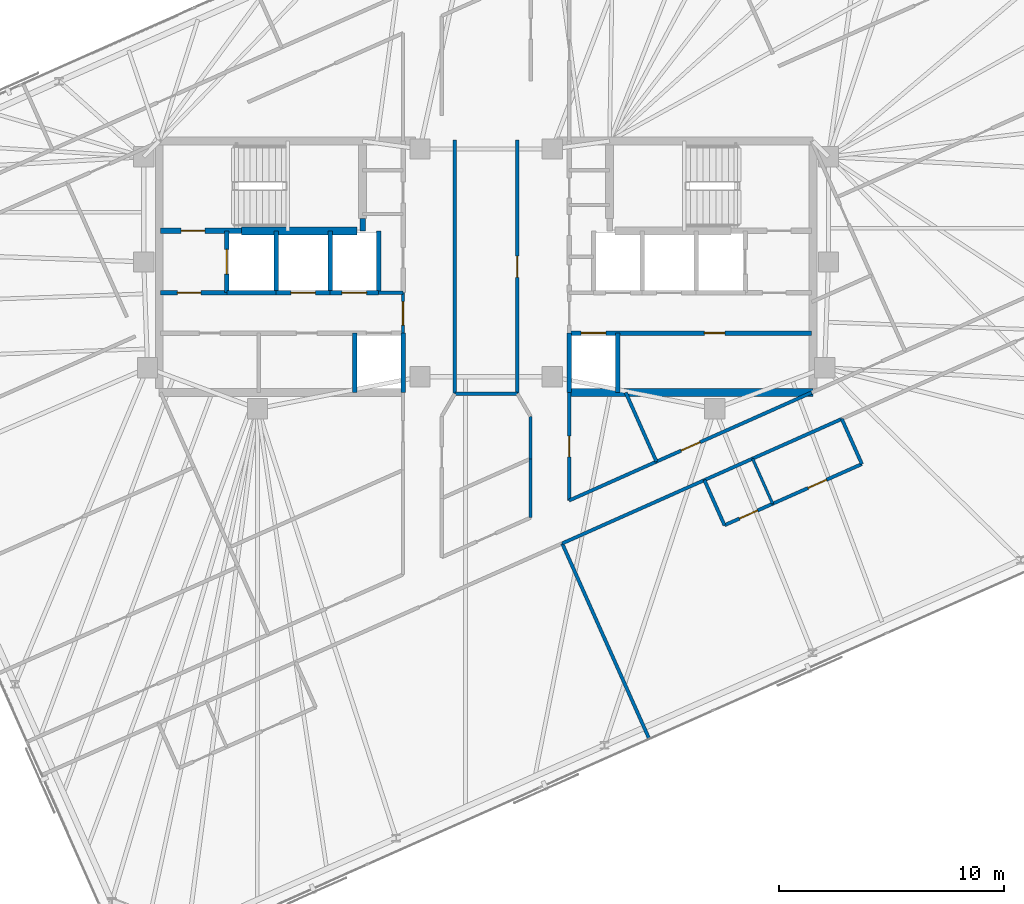
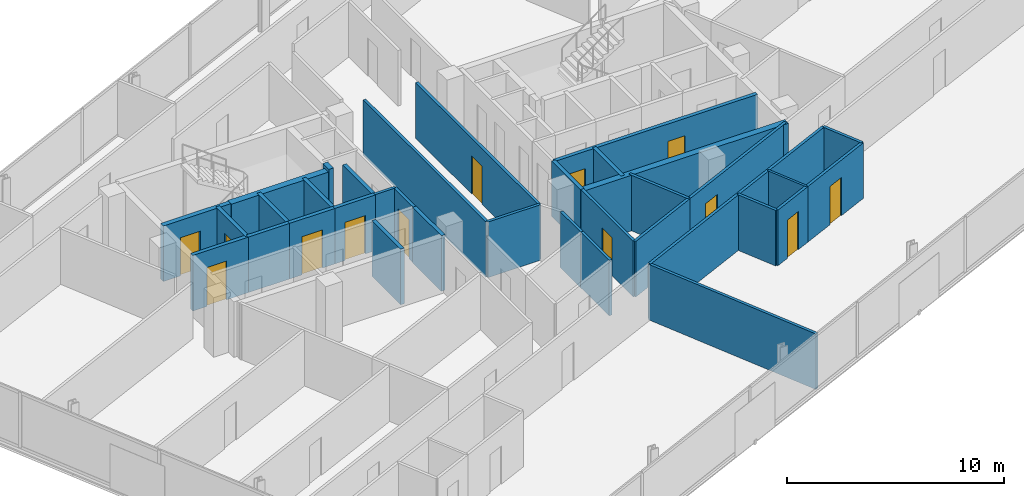
# One storey, part 14 of 18: 37 walls, 13 doors, 13 openings.
"""IFC4 building model written with IfcOpenShell, lengths in metres."""

import ifcopenshell
import ifcopenshell.guid

model = None  # the IFC model being written
_history = None  # IfcOwnerHistory: only IFC2X3 demands one
_inside = {}  # id of a spatial element -> (the spatial element, [elements in it])
_under = {}  # id of a project, library or spatial element -> (it, [spatial elements below it])
_declared = {}  # id of a project -> (the project, [libraries it declares])
_typed = {}  # id of a type object -> (the type object, [elements of that type])
_made_of = {}  # id of a material, layer set ... -> (it, [elements and type objects made of it])


def new_model(schema):
    """Start an empty IFC model of exactly this schema.

    Asked for "IFC4X3", IfcOpenShell would pick the latest addendum, in which some entities
    have other attributes; the version numbers below select the first issue.
    IFC2X3 requires an IfcOwnerHistory on every rooted entity: one is made here for all.
    """
    global model, _history
    if schema == "IFC4X3":
        model = ifcopenshell.file(schema_version=(4, 3, 0, 0))
    else:
        model = ifcopenshell.file(schema=schema)
    _inside.clear()
    _under.clear()
    _declared.clear()
    _typed.clear()
    _made_of.clear()
    _history = None
    if model.schema == "IFC2X3":
        org = make("IfcOrganization", Name="unknown")
        user = make(
            "IfcPersonAndOrganization",
            ThePerson=make("IfcPerson", FamilyName="unknown"),
            TheOrganization=org,
        )
        app = make(
            "IfcApplication",
            ApplicationDeveloper=org,
            Version="unknown",
            ApplicationFullName="unknown",
            ApplicationIdentifier="unknown",
        )
        _history = make(
            "IfcOwnerHistory",
            OwningUser=user,
            OwningApplication=app,
            ChangeAction="ADDED",
            CreationDate=0,
        )
    return model


def make(cls, **values):
    """One entity of the class cls with the attributes given. An attribute that is None is left unset."""
    return model.create_entity(
        cls, **{name: value for name, value in values.items() if value is not None}
    )


def rooted(cls, **values):
    """An entity with a GlobalId (a new one), such as an element, a storey or a relation."""
    return make(cls, GlobalId=ifcopenshell.guid.new(), OwnerHistory=_history, **values)


def si_unit(unit_type, name, prefix=None):
    """IfcSIUnit, for example si_unit("LENGTHUNIT", "METRE", prefix="MILLI")."""
    return make("IfcSIUnit", UnitType=unit_type, Prefix=prefix, Name=name)


def assignment(units):
    """IfcUnitAssignment: the units of a project."""
    return None if units is None else make("IfcUnitAssignment", Units=units)


def point(xyz):
    """IfcCartesianPoint."""
    return None if xyz is None else make("IfcCartesianPoint", Coordinates=xyz)


def direction(xyz):
    """IfcDirection."""
    return None if xyz is None else make("IfcDirection", DirectionRatios=xyz)


def frame(location, z_axis=None, x_axis=None):
    """IfcAxis2Placement3D, a coordinate frame: its origin and axes. An axis left out is left unset."""
    return make(
        "IfcAxis2Placement3D",
        Location=point(location),
        Axis=direction(z_axis),
        RefDirection=direction(x_axis),
    )


def frame_2d(location, x_axis=None):
    """IfcAxis2Placement2D, a coordinate frame in the plane: its origin and x axis."""
    return make(
        "IfcAxis2Placement2D", Location=point(location), RefDirection=direction(x_axis)
    )


def origin():
    """The frame at (0, 0, 0) with its axes left unset."""
    return frame((0.0, 0.0, 0.0))


def place(relative_to, where):
    """IfcLocalPlacement: puts the frame where relative to a parent placement (None: the world)."""
    return make(
        "IfcLocalPlacement", PlacementRelTo=relative_to, RelativePlacement=where
    )


def context(
    kind, dimensions, precision=None, world=None, true_north=None, identifier=None
):
    """IfcGeometricRepresentationContext, for example the 3D "Model" context."""
    return make(
        "IfcGeometricRepresentationContext",
        ContextIdentifier=identifier,
        ContextType=kind,
        CoordinateSpaceDimension=dimensions,
        Precision=precision,
        WorldCoordinateSystem=world,
        TrueNorth=true_north,
    )


def subcontext(parent, identifier, kind, view, scale=None):
    """IfcGeometricRepresentationSubContext, for example "Body" below "Model"."""
    return make(
        "IfcGeometricRepresentationSubContext",
        ContextIdentifier=identifier,
        ContextType=kind,
        ParentContext=parent,
        TargetScale=scale,
        TargetView=view,
    )


def project(units=None, contexts=None):
    """IfcProject with its units and contexts."""
    return rooted(
        "IfcProject",
        Name="project",
        RepresentationContexts=contexts,
        UnitsInContext=assignment(units),
    )


def spatial(cls, under=None, at=None, **own):
    """A site, building, storey or space (cls), placed at a placement, below another one or the project."""
    s = rooted(cls, ObjectPlacement=at, **own)
    if under is not None:
        _under.setdefault(under.id(), (under, []))[1].append(s)
    return s


def profile(cls, at=None, kind="AREA", **sizes):
    """A parametric profile (cls). Its sizes go by their IFC names, for example OverallWidth=200.0."""
    return make(cls, ProfileType=kind, Position=at, **sizes)


def rectangle(**sizes):
    """IfcRectangleProfileDef."""
    return profile("IfcRectangleProfileDef", **sizes)


def extrude(swept, where, along, depth):
    """IfcExtrudedAreaSolid: the profile swept, set in the frame where, extruded along a direction by depth."""
    return make(
        "IfcExtrudedAreaSolid",
        SweptArea=swept,
        Position=where,
        ExtrudedDirection=direction(along),
        Depth=depth,
    )


def shape(context_of_items, identifier, shape_type, items):
    """IfcShapeRepresentation: the items that make up one representation, for example the "Body"."""
    return make(
        "IfcShapeRepresentation",
        ContextOfItems=context_of_items,
        RepresentationIdentifier=identifier,
        RepresentationType=shape_type,
        Items=items,
    )


def material(Name=None, Category=None):
    """IfcMaterial."""
    return make("IfcMaterial", Name=Name, Category=Category)


def layer(
    of_material, thickness, ventilated=None, Name=None, Category=None, Priority=None
):
    """IfcMaterialLayer: one layer of a wall or slab, of a material (None: an air gap)."""
    return make(
        "IfcMaterialLayer",
        Material=of_material,
        LayerThickness=thickness,
        IsVentilated=ventilated,
        Name=Name,
        Category=Category,
        Priority=Priority,
    )


def layer_set(layers, Name=None):
    """IfcMaterialLayerSet."""
    return make("IfcMaterialLayerSet", MaterialLayers=layers, LayerSetName=Name)


def made_of(thing, what):
    """Note that an element or type object is made of a material, layer set ...; save() writes the relation."""
    if what is not None:
        _made_of.setdefault(what.id(), (what, []))[1].append(thing)
    return thing


def type_object(cls, material=None, **own):
    """A type object (cls), such as IfcWallType, which elements share."""
    return made_of(rooted(cls, **own), material)


def element(
    cls,
    number,
    at=None,
    inside=None,
    cuts=None,
    type_object=None,
    material=None,
    context=None,
    identifier="Body",
    shape_type=None,
    held_by="IfcProductDefinitionShape",
    body=None,
    shapes=None,
    **own,
):
    """One element of the class cls, such as IfcWall. Its Tag is "e" and its number.

    at: its placement. inside: the storey or other place that contains it. cuts: it is an
    opening in that element (IfcRelVoidsElement). A single representation is given by context,
    identifier, shape_type and body (its items); several are given by shapes. held_by: the class
    of the entity that holds the representations. save() writes the other relations.
    """
    e = rooted(cls, Tag="e%d" % number, ObjectPlacement=at, **own)
    if body is not None:
        shapes = [shape(context, identifier, shape_type, body)]
    if shapes is not None:
        e.Representation = make(held_by, Representations=shapes)
    if inside is not None:
        _inside.setdefault(inside.id(), (inside, []))[1].append(e)
    if cuts is not None:
        rooted(
            "IfcRelVoidsElement", RelatingBuildingElement=cuts, RelatedOpeningElement=e
        )
    if type_object is not None:
        _typed.setdefault(type_object.id(), (type_object, []))[1].append(e)
    return made_of(e, material)


def fill(opening, filler):
    """IfcRelFillsElement: the door or window that sits in an opening."""
    return rooted(
        "IfcRelFillsElement",
        RelatingOpeningElement=opening,
        RelatedBuildingElement=filler,
    )


def aggregate(whole, parts):
    """IfcRelAggregates: a whole, such as a stair, and the parts it consists of."""
    return rooted("IfcRelAggregates", RelatingObject=whole, RelatedObjects=parts)


def save(model, path):
    """Write the relations noted so far, then the file.

    IfcRelAggregates (storeys below a building ...), IfcRelContainedInSpatialStructure (elements
    in a storey), IfcRelDefinesByType, IfcRelAssociatesMaterial and IfcRelDeclares: one each for
    every whole, place, type object, material and project.
    """
    for whole, parts in _under.values():
        aggregate(whole, parts)
    for where, things in _inside.values():
        rooted(
            "IfcRelContainedInSpatialStructure",
            RelatedElements=things,
            RelatingStructure=where,
        )
    for kind, things in _typed.values():
        rooted("IfcRelDefinesByType", RelatedObjects=things, RelatingType=kind)
    for what, things in _made_of.values():
        rooted("IfcRelAssociatesMaterial", RelatedObjects=things, RelatingMaterial=what)
    for by, libraries in _declared.values():
        rooted("IfcRelDeclares", RelatingContext=by, RelatedDefinitions=libraries)
    model.write(path)


model = new_model("IFC4")

# Units and contexts
model_context = context("Model", 3, precision=1e-05, world=origin(), true_north=direction((0.0, 1.0)))
body_context = subcontext(model_context, "Body", "Model", "MODEL_VIEW")
ifc_project = project(units=[si_unit("LENGTHUNIT", "METRE"), si_unit("AREAUNIT", "SQUARE_METRE"), si_unit("VOLUMEUNIT", "CUBIC_METRE"), si_unit("PLANEANGLEUNIT", "RADIAN"), si_unit("MASSUNIT", "GRAM", prefix="KILO")], contexts=[model_context])

# Site, building, storey
site_placement = place(None, origin())
site = spatial("IfcSite", under=ifc_project, at=site_placement, CompositionType="ELEMENT")
building_placement = place(site_placement, origin())
building = spatial("IfcBuilding", under=site, at=building_placement, Name="Menara Jurai Vektor", CompositionType="ELEMENT")
storey_placement = place(building_placement, frame((0.0, 0.0, 285.25)))
storey = spatial("IfcBuildingStorey", under=building, at=storey_placement, Name="L76", CompositionType="ELEMENT", Elevation=285.25)

# Wall, opening, door
ifc_material_1 = material(Name="Concrete C40/50", Category="concrete")
ifc_layer_1 = layer(ifc_material_1, 0.25)
ifc_layer_set_1 = layer_set([ifc_layer_1], Name="Concrete C40/50")
wall_type_1 = type_object("IfcWallType", Name="INT-WALL-CORE-250", PredefinedType="STANDARD", material=ifc_layer_set_1)
wall_1_placement = place(storey_placement, frame((-14.5, 1.60009765625, 0.0), z_axis=(0.0, 0.0, 1.0), x_axis=(1.0, 0.0, 0.0)))
wall_1 = element("IfcWall", 1, at=wall_1_placement, inside=storey, type_object=wall_type_1, Name="Interior Wall IW-250 L76", PredefinedType="STANDARD", context=body_context, shape_type="SweptSolid", body=[
    extrude(rectangle(XDim=3.60009765625, YDim=0.25, at=frame_2d((1.800048828125, 0.0))), origin(), (0.0, 0.0, 1.0), 3.125),
])
opening_1_placement = place(wall_1_placement, frame((0.919921875, 0.0, 0.0)))
opening_1 = element("IfcOpeningElement", 2, at=opening_1_placement, cuts=wall_1, Name="Opening D-L76-ST1", PredefinedType="OPENING", context=body_context, shape_type="SweptSolid", body=[
    extrude(rectangle(XDim=1.050048828125, YDim=2.14990234375, at=frame_2d((0.52490234375, 1.074951171875))), frame((0.0, 0.135009765625, 0.0), z_axis=(0.0, -1.0, 0.0), x_axis=(1.0, 0.0, 0.0)), (0.0, 0.0, 1.0), 0.27001953125),
])
ifc_material_2 = material(Name="Fire-Rated Steel Door", Category="steel")
door_type_1 = type_object("IfcDoorType", Name="DR-STAIR-1050", OperationType="NOTDEFINED", PredefinedType="DOOR", material=ifc_material_2)
door_1_placement = place(opening_1_placement, origin())
door_1 = element("IfcDoor", 3, at=door_1_placement, inside=storey, type_object=door_type_1, Name="Exit Stair ST1 Door L76", OperationType="SINGLE_SWING_RIGHT", OverallHeight=2.14990234375, OverallWidth=1.050048828125, PredefinedType="DOOR", context=body_context, shape_type="SweptSolid", body=[
    extrude(rectangle(XDim=1.050048828125, YDim=2.14990234375, at=frame_2d((0.52490234375, 1.074951171875))), frame((0.0, 0.02490234375, 0.0), z_axis=(0.0, -1.0, 0.0), x_axis=(1.0, 0.0, 0.0)), (0.0, 0.0, 1.0), 0.050048828125),
])
fill(opening_1, door_1)

# Wall
wall_2_placement = place(storey_placement, frame((-5.5, 1.60009765625, 0.0), z_axis=(0.0, 0.0, 1.0), x_axis=(0.0, 1.0, 0.0)))
element("IfcWall", 4, at=wall_2_placement, inside=storey, type_object=wall_type_1, Name="Interior Wall IW-250 L76", PredefinedType="STANDARD", context=body_context, shape_type="SweptSolid", body=[
    extrude(rectangle(XDim=0.5498046875, YDim=0.25, at=frame_2d((0.27490234375, 0.0))), origin(), (0.0, 0.0, 1.0), 3.125),
])

# Wall, opening, door
wall_3_placement = place(storey_placement, frame((-11.550048828125, -1.14990234375, 0.0), z_axis=(0.0, 0.0, 1.0), x_axis=(0.0, 1.0, 0.0)))
wall_3 = element("IfcWall", 5, at=wall_3_placement, inside=storey, type_object=wall_type_1, Name="Interior Wall IW-250 L76", PredefinedType="STANDARD", context=body_context, shape_type="SweptSolid", body=[
    extrude(rectangle(XDim=2.75, YDim=0.199951171875, at=frame_2d((1.375, 0.0))), origin(), (0.0, 0.0, 1.0), 3.125),
])
opening_2_placement = place(wall_3_placement, frame((0.824951171875, 0.0, 0.0)))
opening_2 = element("IfcOpeningElement", 6, at=opening_2_placement, cuts=wall_3, Name="Opening LD-L76-FL1", PredefinedType="OPENING", context=body_context, shape_type="SweptSolid", body=[
    extrude(rectangle(XDim=1.10009765625, YDim=2.14990234375, at=frame_2d((0.550048828125, 1.074951171875))), frame((0.0, 0.10986328125, 0.0), z_axis=(0.0, -1.0, 0.0), x_axis=(1.0, 0.0, 0.0)), (0.0, 0.0, 1.0), 0.219970703125),
])
ifc_material_3 = material(Name="Stainless Steel Sliding Lift Landing Door", Category="steel")
door_type_2 = type_object("IfcDoorType", Name="DR-LIFT-FIRE-1100", OperationType="NOTDEFINED", PredefinedType="DOOR", material=ifc_material_3)
door_2_placement = place(opening_2_placement, origin())
door_2 = element("IfcDoor", 7, at=door_2_placement, inside=storey, type_object=door_type_2, Name="Lift Landing Door FL1 L76", OperationType="SLIDING_TO_RIGHT", OverallHeight=2.14990234375, OverallWidth=1.10009765625, PredefinedType="DOOR", context=body_context, shape_type="SweptSolid", body=[
    extrude(rectangle(XDim=1.10009765625, YDim=2.14990234375, at=frame_2d((0.550048828125, 1.074951171875))), frame((0.0, 0.02490234375, 0.0), z_axis=(0.0, -1.0, 0.0), x_axis=(1.0, 0.0, 0.0)), (0.0, 0.0, 1.0), 0.050048828125),
])
fill(opening_2, door_2)

# Wall
wall_4_placement = place(storey_placement, frame((-9.35009765625, -1.14990234375, 0.0), z_axis=(0.0, 0.0, 1.0), x_axis=(0.0, 1.0, 0.0)))
element("IfcWall", 8, at=wall_4_placement, inside=storey, type_object=wall_type_1, Name="Interior Wall IW-250 L76", PredefinedType="STANDARD", context=body_context, shape_type="SweptSolid", body=[
    extrude(rectangle(XDim=2.75, YDim=0.199951171875, at=frame_2d((1.375, 0.0))), origin(), (0.0, 0.0, 1.0), 3.125),
])

# Wall, opening, door
wall_5_placement = place(storey_placement, frame((-14.5, -1.14990234375, 0.0), z_axis=(0.0, 0.0, 1.0), x_axis=(1.0, 0.0, 0.0)))
wall_5 = element("IfcWall", 9, at=wall_5_placement, inside=storey, type_object=wall_type_1, Name="Interior Wall IW-250 L76", PredefinedType="STANDARD", context=body_context, shape_type="SweptSolid", body=[
    extrude(rectangle(XDim=2.949951171875, YDim=0.199951171875, at=frame_2d((1.47509765625, 0.0))), origin(), (0.0, 0.0, 1.0), 3.125),
])
opening_3_placement = place(wall_5_placement, frame((0.75, 0.0, 0.0)))
opening_3 = element("IfcOpeningElement", 10, at=opening_3_placement, cuts=wall_5, Name="Opening D-L76-FFW", PredefinedType="OPENING", context=body_context, shape_type="SweptSolid", body=[
    extrude(rectangle(XDim=1.050048828125, YDim=2.179931640625, at=frame_2d((0.52490234375, 1.08984375))), frame((0.0, 0.10986328125, 0.0), z_axis=(0.0, -1.0, 0.0), x_axis=(1.0, 0.0, 0.0)), (0.0, 0.0, 1.0), 0.219970703125),
])
ifc_material_4 = material(Name="Fire-Rated Timber Door", Category="wood")
door_type_3 = type_object("IfcDoorType", Name="DR-LOBBY-1050", OperationType="NOTDEFINED", PredefinedType="DOOR", material=ifc_material_4)
door_3_placement = place(opening_3_placement, origin())
door_3 = element("IfcDoor", 11, at=door_3_placement, inside=storey, type_object=door_type_3, Name="Fire Lift Lobby Door W L76", OperationType="SINGLE_SWING_RIGHT", OverallHeight=2.179931640625, OverallWidth=1.050048828125, PredefinedType="DOOR", context=body_context, shape_type="SweptSolid", body=[
    extrude(rectangle(XDim=1.050048828125, YDim=2.179931640625, at=frame_2d((0.52490234375, 1.08984375))), frame((0.0, 0.02490234375, 0.0), z_axis=(0.0, -1.0, 0.0), x_axis=(1.0, 0.0, 0.0)), (0.0, 0.0, 1.0), 0.050048828125),
])
fill(opening_3, door_3)

# Wall
wall_6_placement = place(storey_placement, frame((-11.550048828125, -1.14990234375, 0.0), z_axis=(0.0, 0.0, 1.0), x_axis=(1.0, 0.0, 0.0)))
element("IfcWall", 12, at=wall_6_placement, inside=storey, type_object=wall_type_1, Name="Interior Wall IW-250 L76", PredefinedType="STANDARD", context=body_context, shape_type="SweptSolid", body=[
    extrude(rectangle(XDim=2.199951171875, YDim=0.199951171875, at=frame_2d((1.10009765625, 0.0))), origin(), (0.0, 0.0, 1.0), 3.125),
])

# Wall, opening, door
ifc_material_5 = material(Name="Gypsum Fireboard Partition", Category="gypsum")
ifc_layer_2 = layer(ifc_material_5, 0.14990234375)
ifc_layer_set_2 = layer_set([ifc_layer_2], Name="Gypsum Fireboard Partition")
wall_type_2 = type_object("IfcWallType", Name="INT-WALL-CORR-150", PredefinedType="PARTITIONING", material=ifc_layer_set_2)
wall_7_placement = place(storey_placement, frame((-3.699951171875, -2.949951171875, 0.0), z_axis=(0.0, 0.0, 1.0), x_axis=(0.0, 1.0, 0.0)))
wall_7 = element("IfcWall", 13, at=wall_7_placement, inside=storey, type_object=wall_type_2, Name="Interior Wall IW-150 L76", PredefinedType="PARTITIONING", context=body_context, shape_type="SweptSolid", body=[
    extrude(rectangle(XDim=1.800048828125, YDim=0.14990234375, at=frame_2d((0.89990234375, 0.0))), origin(), (0.0, 0.0, 1.0), 3.125),
])
opening_4_placement = place(wall_7_placement, frame((0.35009765625, 0.0, 0.0)))
opening_4 = element("IfcOpeningElement", 14, at=opening_4_placement, cuts=wall_7, Name="Opening D-L76-LLW", PredefinedType="OPENING", context=body_context, shape_type="SweptSolid", body=[
    extrude(rectangle(XDim=1.050048828125, YDim=2.179931640625, at=frame_2d((0.52490234375, 1.08984375))), frame((0.0, 0.0849609375, 0.0), z_axis=(0.0, -1.0, 0.0), x_axis=(1.0, 0.0, 0.0)), (0.0, 0.0, 1.0), 0.169921875),
])
door_4_placement = place(opening_4_placement, origin())
door_4 = element("IfcDoor", 15, at=door_4_placement, inside=storey, type_object=door_type_3, Name="Lift Lobby Corridor Door W L76", OperationType="SINGLE_SWING_LEFT", OverallHeight=2.179931640625, OverallWidth=1.050048828125, PredefinedType="DOOR", context=body_context, shape_type="SweptSolid", body=[
    extrude(rectangle(XDim=1.050048828125, YDim=2.179931640625, at=frame_2d((0.52490234375, 1.08984375))), frame((0.0, 0.02490234375, 0.0), z_axis=(0.0, -1.0, 0.0), x_axis=(1.0, 0.0, 0.0)), (0.0, 0.0, 1.0), 0.050048828125),
])
fill(opening_4, door_4)

# Walls
wall_8_placement = place(storey_placement, frame((-4.7900390625, -1.14990234375, 0.0), z_axis=(0.0, 0.0, 1.0), x_axis=(1.0, 0.0, 0.0)))
element("IfcWall", 16, at=wall_8_placement, inside=storey, type_object=wall_type_2, Name="Interior Wall IW-150 L76", PredefinedType="PARTITIONING", context=body_context, shape_type="SweptSolid", body=[
    extrude(rectangle(XDim=1.090087890625, YDim=0.14990234375, at=frame_2d((0.544921875, 0.0))), origin(), (0.0, 0.0, 1.0), 3.125),
])
wall_9_placement = place(storey_placement, frame((-1.390869140625, -5.64990234375, 0.0), z_axis=(0.0, 0.0, 1.0), x_axis=(-2.1605738e-05, 0.999999999767, 0.0)))
element("IfcWall", 17, at=wall_9_placement, inside=storey, type_object=wall_type_2, Name="Interior Wall IW-150 L76", PredefinedType="PARTITIONING", context=body_context, shape_type="SweptSolid", body=[
    extrude(rectangle(XDim=11.2998046875, YDim=0.14990234375, at=frame_2d((5.64990234375, 0.0))), origin(), (0.0, 0.0, 1.0), 3.125),
])

# Wall, opening, door
wall_10_placement = place(storey_placement, frame((1.390869140625, -5.650390625, 0.0), z_axis=(0.0, 0.0, 1.0), x_axis=(4.3206809e-05, 0.999999999067, 0.0)))
wall_10 = element("IfcWall", 18, at=wall_10_placement, inside=storey, type_object=wall_type_2, Name="Interior Wall IW-150 L76", PredefinedType="PARTITIONING", context=body_context, shape_type="SweptSolid", body=[
    extrude(rectangle(XDim=11.301025390625, YDim=0.14990234375, at=frame_2d((5.650390625, 0.0))), origin(), (0.0, 0.0, 1.0), 3.125),
])
opening_5_placement = place(wall_10_placement, frame((5.175537109375, 0.0, 0.0)))
opening_5 = element("IfcOpeningElement", 19, at=opening_5_placement, cuts=wall_10, Name="Opening D76-09", PredefinedType="OPENING", context=body_context, shape_type="SweptSolid", body=[
    extrude(rectangle(XDim=0.949951171875, YDim=2.14990234375, at=frame_2d((0.47509765625, 1.074951171875))), frame((0.0, 0.0849609375, 0.0), z_axis=(0.0, -1.0, 0.0), x_axis=(1.0, 0.0, 0.0)), (0.0, 0.0, 1.0), 0.169921875),
])
ifc_material_6 = material(Name="Solid Core Timber Fire Door", Category="wood")
door_type_4 = type_object("IfcDoorType", Name="DR-ENTRY-950", OperationType="NOTDEFINED", PredefinedType="DOOR", material=ifc_material_6)
door_5_placement = place(opening_5_placement, origin())
door_5 = element("IfcDoor", 20, at=door_5_placement, inside=storey, type_object=door_type_4, Name="Interior Door D76-09", OperationType="SINGLE_SWING_LEFT", OverallHeight=2.14990234375, OverallWidth=0.949951171875, PredefinedType="DOOR", context=body_context, shape_type="SweptSolid", body=[
    extrude(rectangle(XDim=0.949951171875, YDim=2.14990234375, at=frame_2d((0.47509765625, 1.074951171875))), frame((0.0, 0.02490234375, 0.0), z_axis=(0.0, -1.0, 0.0), x_axis=(1.0, 0.0, 0.0)), (0.0, 0.0, 1.0), 0.050048828125),
])
fill(opening_5, door_5)

# Walls
wall_11_placement = place(storey_placement, frame((3.388427734375, -12.320556640625, 0.0), z_axis=(0.0, 0.0, 1.0), x_axis=(0.913552886643, 0.406719956857, 0.0)))
element("IfcWall", 21, at=wall_11_placement, inside=storey, type_object=wall_type_2, Name="Interior Wall IW-150 L76", PredefinedType="PARTITIONING", context=body_context, shape_type="SweptSolid", body=[
    extrude(rectangle(XDim=6.93310546875, YDim=0.14990234375, at=frame_2d((3.466552734375, 0.0))), origin(), (0.0, 0.0, 1.0), 3.125),
])
wall_12_placement = place(storey_placement, frame((9.72216796875, -9.500732421875, 0.0), z_axis=(0.0, 0.0, 1.0), x_axis=(0.913541436194, 0.406745675276, 0.0)))
element("IfcWall", 22, at=wall_12_placement, inside=storey, type_object=wall_type_2, Name="Interior Wall IW-150 L76", PredefinedType="PARTITIONING", context=body_context, shape_type="SweptSolid", body=[
    extrude(rectangle(XDim=2.349853515625, YDim=0.14990234375, at=frame_2d((1.1748046875, 0.0))), origin(), (0.0, 0.0, 1.0), 3.125),
])
wall_13_placement = place(storey_placement, frame((11.868896484375, -8.544921875, 0.0), z_axis=(0.0, 0.0, 1.0), x_axis=(0.913554477336, 0.406716383908, 0.0)))
element("IfcWall", 23, at=wall_13_placement, inside=storey, type_object=wall_type_2, Name="Interior Wall IW-150 L76", PredefinedType="PARTITIONING", context=body_context, shape_type="SweptSolid", body=[
    extrude(rectangle(XDim=4.35009765625, YDim=0.14990234375, at=frame_2d((2.175048828125, 0.0))), origin(), (0.0, 0.0, 1.0), 3.125),
])

# Wall, opening, door
wall_14_placement = place(storey_placement, frame((3.69970703125, -10.40869140625, 0.0), z_axis=(0.0, 0.0, 1.0), x_axis=(5.0769153e-05, 0.999999998711, 0.0)))
wall_14 = element("IfcWall", 24, at=wall_14_placement, inside=storey, type_object=wall_type_2, Name="Interior Wall IW-150 L76", PredefinedType="PARTITIONING", context=body_context, shape_type="SweptSolid", body=[
    extrude(rectangle(XDim=4.808837890625, YDim=0.14990234375, at=frame_2d((2.404296875, 0.0))), origin(), (0.0, 0.0, 1.0), 3.125),
])
opening_6_placement = place(wall_14_placement, frame((1.9443359375, 0.0, 0.0)))
opening_6 = element("IfcOpeningElement", 25, at=opening_6_placement, cuts=wall_14, Name="Opening D76-25", PredefinedType="OPENING", context=body_context, shape_type="SweptSolid", body=[
    extrude(rectangle(XDim=0.919921875, YDim=2.14990234375, at=frame_2d((0.4599609375, 1.074951171875))), frame((0.0, 0.0849609375, 0.0), z_axis=(0.0, -1.0, 0.0), x_axis=(1.0, 0.0, 0.0)), (0.0, 0.0, 1.0), 0.169921875),
])
door_6_placement = place(opening_6_placement, origin())
door_6 = element("IfcDoor", 26, at=door_6_placement, inside=storey, type_object=door_type_4, Name="Interior Door D76-25", OperationType="SINGLE_SWING_LEFT", OverallHeight=2.14990234375, OverallWidth=0.919921875, PredefinedType="DOOR", context=body_context, shape_type="SweptSolid", body=[
    extrude(rectangle(XDim=0.919921875, YDim=2.14990234375, at=frame_2d((0.4599609375, 1.074951171875))), frame((0.0, 0.02490234375, 0.0), z_axis=(0.0, -1.0, 0.0), x_axis=(1.0, 0.0, 0.0)), (0.0, 0.0, 1.0), 0.050048828125),
])
fill(opening_6, door_6)

# Wall
wall_15_placement = place(storey_placement, frame((3.69970703125, -10.40869140625, 0.0), z_axis=(0.0, 0.0, 1.0), x_axis=(0.91353932002, 0.406750428122, 0.0)))
element("IfcWall", 27, at=wall_15_placement, inside=storey, type_object=wall_type_2, Name="Interior Wall IW-150 L76", PredefinedType="PARTITIONING", context=body_context, shape_type="SweptSolid", body=[
    extrude(rectangle(XDim=4.256103515625, YDim=0.14990234375, at=frame_2d((2.1279296875, 0.0))), origin(), (0.0, 0.0, 1.0), 3.125),
])

# Wall, opening, door
wall_16_placement = place(storey_placement, frame((7.587890625, -8.677490234375, 0.0), z_axis=(0.0, 0.0, 1.0), x_axis=(0.913555880467, 0.406713232221, 0.0)))
wall_16 = element("IfcWall", 28, at=wall_16_placement, inside=storey, type_object=wall_type_2, Name="Interior Wall IW-150 L76", PredefinedType="PARTITIONING", context=body_context, shape_type="SweptSolid", body=[
    extrude(rectangle(XDim=7.56591796875, YDim=0.14990234375, at=frame_2d((3.782958984375, 0.0))), origin(), (0.0, 0.0, 1.0), 3.125),
])
opening_7_placement = place(wall_16_placement, frame((1.20458984375, 0.0, 0.0)))
opening_7 = element("IfcOpeningElement", 29, at=opening_7_placement, cuts=wall_16, Name="Opening D76-26", PredefinedType="OPENING", context=body_context, shape_type="SweptSolid", body=[
    extrude(rectangle(XDim=0.919921875, YDim=2.14990234375, at=frame_2d((0.4599609375, 1.074951171875))), frame((0.0, 0.0849609375, 0.0), z_axis=(0.0, -1.0, 0.0), x_axis=(1.0, 0.0, 0.0)), (0.0, 0.0, 1.0), 0.169921875),
])
door_7_placement = place(opening_7_placement, origin())
door_7 = element("IfcDoor", 30, at=door_7_placement, inside=storey, type_object=door_type_4, Name="Interior Door D76-26", OperationType="SINGLE_SWING_RIGHT", OverallHeight=2.14990234375, OverallWidth=0.919921875, PredefinedType="DOOR", context=body_context, shape_type="SweptSolid", body=[
    extrude(rectangle(XDim=0.919921875, YDim=2.14990234375, at=frame_2d((0.4599609375, 1.074951171875))), frame((0.0, 0.02490234375, 0.0), z_axis=(0.0, -1.0, 0.0), x_axis=(1.0, 0.0, 0.0)), (0.0, 0.0, 1.0), 0.050048828125),
])
fill(opening_7, door_7)

# Walls
wall_17_placement = place(storey_placement, frame((1.9794921875, -11.174560546875, 0.0), z_axis=(0.0, 0.0, 1.0), x_axis=(0.0, 1.0, 0.0)))
element("IfcWall", 31, at=wall_17_placement, inside=storey, type_object=wall_type_2, Name="Interior Wall IW-150 L76", PredefinedType="PARTITIONING", context=body_context, shape_type="SweptSolid", body=[
    extrude(rectangle(XDim=2.623779296875, YDim=0.14990234375, at=frame_2d((1.31201171875, 0.0))), origin(), (0.0, 0.0, 1.0), 3.125),
])
wall_18_placement = place(storey_placement, frame((1.9794921875, -8.55078125, 0.0), z_axis=(0.0, 0.0, 1.0), x_axis=(0.00025809781, 0.999999966693, 0.0)))
element("IfcWall", 32, at=wall_18_placement, inside=storey, type_object=wall_type_2, Name="Interior Wall IW-150 L76", PredefinedType="PARTITIONING", context=body_context, shape_type="SweptSolid", body=[
    extrude(rectangle(XDim=1.891845703125, YDim=0.14990234375, at=frame_2d((0.94580078125, 0.0))), origin(), (0.0, 0.0, 1.0), 3.125),
])
wall_19_placement = place(storey_placement, frame((-1.390869140625, -5.64990234375, 0.0), z_axis=(0.0, 0.0, 1.0), x_axis=(0.999999984594, -0.000175530979, 0.0)))
element("IfcWall", 33, at=wall_19_placement, inside=storey, type_object=wall_type_2, Name="Interior Wall IW-150 L76", PredefinedType="PARTITIONING", context=body_context, shape_type="SweptSolid", body=[
    extrude(rectangle(XDim=2.78173828125, YDim=0.14990234375, at=frame_2d((1.390869140625, 0.0))), origin(), (0.0, 0.0, 1.0), 3.125),
])
wall_20_placement = place(storey_placement, frame((7.266845703125, -21.03125, 0.0), z_axis=(0.0, 0.0, 1.0), x_axis=(-0.406751296215, 0.913538933504, 0.0)))
element("IfcWall", 34, at=wall_20_placement, inside=storey, type_object=wall_type_2, Name="Interior Wall IW-150 L76", PredefinedType="PARTITIONING", context=body_context, shape_type="SweptSolid", body=[
    extrude(rectangle(XDim=9.53515625, YDim=0.14990234375, at=frame_2d((4.767578125, 0.0))), origin(), (0.0, 0.0, 1.0), 3.125),
])
wall_21_placement = place(storey_placement, frame((10.616943359375, -11.510498046875, 0.0), z_axis=(0.0, 0.0, 1.0), x_axis=(-0.406725294076, 0.913550510459, 0.0)))
element("IfcWall", 35, at=wall_21_placement, inside=storey, type_object=wall_type_2, Name="Interior Wall IW-150 L76", PredefinedType="PARTITIONING", context=body_context, shape_type="SweptSolid", body=[
    extrude(rectangle(XDim=2.199951171875, YDim=0.14990234375, at=frame_2d((1.10009765625, 0.0))), origin(), (0.0, 0.0, 1.0), 3.125),
])

# Wall, opening, door
wall_22_placement = place(storey_placement, frame((10.616943359375, -11.510498046875, 0.0), z_axis=(0.0, 0.0, 1.0), x_axis=(0.913558622212, 0.406707073682, 0.0)))
wall_22 = element("IfcWall", 36, at=wall_22_placement, inside=storey, type_object=wall_type_2, Name="Interior Wall IW-150 L76", PredefinedType="PARTITIONING", context=body_context, shape_type="SweptSolid", body=[
    extrude(rectangle(XDim=2.35009765625, YDim=0.14990234375, at=frame_2d((1.175048828125, 0.0))), origin(), (0.0, 0.0, 1.0), 3.125),
])
opening_8_placement = place(wall_22_placement, frame((0.735107421875, 0.0, 0.0)))
opening_8 = element("IfcOpeningElement", 37, at=opening_8_placement, cuts=wall_22, Name="Opening D76-17", PredefinedType="OPENING", context=body_context, shape_type="SweptSolid", body=[
    extrude(rectangle(XDim=0.8798828125, YDim=2.14990234375, at=frame_2d((0.43994140625, 1.074951171875))), frame((0.0, 0.0849609375, 0.0), z_axis=(0.0, -1.0, 0.0), x_axis=(1.0, 0.0, 0.0)), (0.0, 0.0, 1.0), 0.169921875),
])
ifc_material_7 = material(Name="Moisture-Resistant Timber Door", Category="wood")
door_type_5 = type_object("IfcDoorType", Name="DR-BATH-880", OperationType="NOTDEFINED", PredefinedType="DOOR", material=ifc_material_7)
door_8_placement = place(opening_8_placement, origin())
door_8 = element("IfcDoor", 38, at=door_8_placement, inside=storey, type_object=door_type_5, Name="Interior Door D76-17", OperationType="SINGLE_SWING_LEFT", OverallHeight=2.14990234375, OverallWidth=0.8798828125, PredefinedType="DOOR", context=body_context, shape_type="SweptSolid", body=[
    extrude(rectangle(XDim=0.8798828125, YDim=2.14990234375, at=frame_2d((0.43994140625, 1.074951171875))), frame((0.0, 0.02490234375, 0.0), z_axis=(0.0, -1.0, 0.0), x_axis=(1.0, 0.0, 0.0)), (0.0, 0.0, 1.0), 0.050048828125),
])
fill(opening_8, door_8)

wall_23_placement = place(storey_placement, frame((12.763916015625, -10.5546875, 0.0), z_axis=(0.0, 0.0, 1.0), x_axis=(0.913545193015, 0.406737237438, 0.0)))
wall_23 = element("IfcWall", 39, at=wall_23_placement, inside=storey, type_object=wall_type_2, Name="Interior Wall IW-150 L76", PredefinedType="PARTITIONING", context=body_context, shape_type="SweptSolid", body=[
    extrude(rectangle(XDim=4.349853515625, YDim=0.14990234375, at=frame_2d((2.1748046875, 0.0))), origin(), (0.0, 0.0, 1.0), 3.125),
])
opening_9_placement = place(wall_23_placement, frame((1.72509765625, 0.0, 0.0)))
opening_9 = element("IfcOpeningElement", 40, at=opening_9_placement, cuts=wall_23, Name="Opening D76-18", PredefinedType="OPENING", context=body_context, shape_type="SweptSolid", body=[
    extrude(rectangle(XDim=0.89990234375, YDim=2.14990234375, at=frame_2d((0.449951171875, 1.074951171875))), frame((0.0, 0.0849609375, 0.0), z_axis=(0.0, -1.0, 0.0), x_axis=(1.0, 0.0, 0.0)), (0.0, 0.0, 1.0), 0.169921875),
])
ifc_material_8 = material(Name="Acoustic Timber Interior Door", Category="wood")
door_type_6 = type_object("IfcDoorType", Name="DR-ROOM-900", OperationType="NOTDEFINED", PredefinedType="DOOR", material=ifc_material_8)
door_9_placement = place(opening_9_placement, origin())
door_9 = element("IfcDoor", 41, at=door_9_placement, inside=storey, type_object=door_type_6, Name="Interior Door D76-18", OperationType="SINGLE_SWING_RIGHT", OverallHeight=2.14990234375, OverallWidth=0.89990234375, PredefinedType="DOOR", context=body_context, shape_type="SweptSolid", body=[
    extrude(rectangle(XDim=0.89990234375, YDim=2.14990234375, at=frame_2d((0.449951171875, 1.074951171875))), frame((0.0, 0.02490234375, 0.0), z_axis=(0.0, -1.0, 0.0), x_axis=(1.0, 0.0, 0.0)), (0.0, 0.0, 1.0), 0.050048828125),
])
fill(opening_9, door_9)

# Walls
wall_24_placement = place(storey_placement, frame((16.73779296875, -8.785400390625, 0.0), z_axis=(0.0, 0.0, 1.0), x_axis=(-0.406725294076, 0.913550510459, 0.0)))
element("IfcWall", 42, at=wall_24_placement, inside=storey, type_object=wall_type_2, Name="Interior Wall IW-150 L76", PredefinedType="PARTITIONING", context=body_context, shape_type="SweptSolid", body=[
    extrude(rectangle(XDim=2.199951171875, YDim=0.14990234375, at=frame_2d((1.10009765625, 0.0))), origin(), (0.0, 0.0, 1.0), 3.125),
])
wall_25_placement = place(storey_placement, frame((7.587890625, -8.677490234375, 0.0), z_axis=(0.0, 0.0, 1.0), x_axis=(-0.406763688861, 0.913533415603, 0.0)))
element("IfcWall", 43, at=wall_25_placement, inside=storey, type_object=wall_type_2, Name="Interior Wall IW-150 L76", PredefinedType="PARTITIONING", context=body_context, shape_type="SweptSolid", body=[
    extrude(rectangle(XDim=3.368896484375, YDim=0.14990234375, at=frame_2d((1.6845703125, 0.0))), origin(), (0.0, 0.0, 1.0), 3.125),
])
ifc_material_9 = material(Name="Gypsum Acoustic Stud Partition", Category="gypsum")
ifc_layer_3 = layer(ifc_material_9, 0.1201171875)
ifc_layer_set_3 = layer_set([ifc_layer_3], Name="Gypsum Acoustic Stud Partition")
wall_type_3 = type_object("IfcWallType", Name="INT-WALL-PART-120", PredefinedType="PARTITIONING", material=ifc_layer_set_3)
wall_26_placement = place(storey_placement, frame((12.763916015625, -10.5546875, 0.0), z_axis=(0.0, 0.0, 1.0), x_axis=(-0.406817905151, 0.913509273105, 0.0)))
element("IfcWall", 44, at=wall_26_placement, inside=storey, type_object=wall_type_3, Name="Interior Wall IW-120 L76", PredefinedType="PARTITIONING", context=body_context, shape_type="SweptSolid", body=[
    extrude(rectangle(XDim=2.199951171875, YDim=0.1201171875, at=frame_2d((1.10009765625, 0.0))), origin(), (0.0, 0.0, 1.0), 3.125),
])
ifc_layer_4 = layer(ifc_material_1, 0.199951171875)
ifc_layer_set_4 = layer_set([ifc_layer_4], Name="Concrete C40/50")
wall_type_4 = type_object("IfcWallType", Name="INT-WALL-SHAFT-200", PredefinedType="STANDARD", material=ifc_layer_set_4)
wall_27_placement = place(storey_placement, frame((-3.699951171875, -5.60009765625, 0.0), z_axis=(0.0, 0.0, 1.0), x_axis=(0.0, 1.0, 0.0)))
element("IfcWall", 45, at=wall_27_placement, inside=storey, type_object=wall_type_4, Name="Interior Wall IW-200 L76", PredefinedType="STANDARD", context=body_context, shape_type="SweptSolid", body=[
    extrude(rectangle(XDim=2.650146484375, YDim=0.199951171875, at=frame_2d((1.3251953125, 0.0))), origin(), (0.0, 0.0, 1.0), 3.125),
])
wall_28_placement = place(storey_placement, frame((-6.949951171875, -1.14990234375, 0.0), z_axis=(0.0, 0.0, 1.0), x_axis=(0.0, 1.0, 0.0)))
element("IfcWall", 46, at=wall_28_placement, inside=storey, type_object=wall_type_4, Name="Interior Wall IW-200 L76", PredefinedType="STANDARD", context=body_context, shape_type="SweptSolid", body=[
    extrude(rectangle(XDim=2.75, YDim=0.199951171875, at=frame_2d((1.375, 0.0))), origin(), (0.0, 0.0, 1.0), 3.125),
])

# Wall, opening, door
wall_29_placement = place(storey_placement, frame((-9.35009765625, -1.14990234375, 0.0), z_axis=(0.0, 0.0, 1.0), x_axis=(1.0, 0.0, 0.0)))
wall_29 = element("IfcWall", 47, at=wall_29_placement, inside=storey, type_object=wall_type_4, Name="Interior Wall IW-200 L76", PredefinedType="STANDARD", context=body_context, shape_type="SweptSolid", body=[
    extrude(rectangle(XDim=2.400146484375, YDim=0.199951171875, at=frame_2d((1.2001953125, 0.0))), origin(), (0.0, 0.0, 1.0), 3.125),
])
opening_10_placement = place(wall_29_placement, frame((0.64990234375, 0.0, 0.0)))
opening_10 = element("IfcOpeningElement", 48, at=opening_10_placement, cuts=wall_29, Name="Opening LD-L76-SVL1", PredefinedType="OPENING", context=body_context, shape_type="SweptSolid", body=[
    extrude(rectangle(XDim=1.10009765625, YDim=2.14990234375, at=frame_2d((0.550048828125, 1.074951171875))), frame((0.0, 0.10986328125, 0.0), z_axis=(0.0, -1.0, 0.0), x_axis=(1.0, 0.0, 0.0)), (0.0, 0.0, 1.0), 0.219970703125),
])
ifc_material_10 = material(Name="Anodised Stainless Sliding Lift Landing Door", Category="steel")
door_type_7 = type_object("IfcDoorType", Name="DR-LIFT-PASS-1100", OperationType="NOTDEFINED", PredefinedType="DOOR", material=ifc_material_10)
door_10_placement = place(opening_10_placement, origin())
door_10 = element("IfcDoor", 49, at=door_10_placement, inside=storey, type_object=door_type_7, Name="Lift Landing Door SVL1 L76", OperationType="SLIDING_TO_RIGHT", OverallHeight=2.14990234375, OverallWidth=1.10009765625, PredefinedType="DOOR", context=body_context, shape_type="SweptSolid", body=[
    extrude(rectangle(XDim=1.10009765625, YDim=2.14990234375, at=frame_2d((0.550048828125, 1.074951171875))), frame((0.0, 0.02490234375, 0.0), z_axis=(0.0, -1.0, 0.0), x_axis=(1.0, 0.0, 0.0)), (0.0, 0.0, 1.0), 0.050048828125),
])
fill(opening_10, door_10)

# Wall
wall_30_placement = place(storey_placement, frame((-4.7900390625, -1.14990234375, 0.0), z_axis=(0.0, 0.0, 1.0), x_axis=(0.0, 1.0, 0.0)))
element("IfcWall", 50, at=wall_30_placement, inside=storey, type_object=wall_type_4, Name="Interior Wall IW-200 L76", PredefinedType="STANDARD", context=body_context, shape_type="SweptSolid", body=[
    extrude(rectangle(XDim=2.75, YDim=0.199951171875, at=frame_2d((1.375, 0.0))), origin(), (0.0, 0.0, 1.0), 3.125),
])

# Wall, opening, door
wall_31_placement = place(storey_placement, frame((-6.949951171875, -1.14990234375, 0.0), z_axis=(0.0, 0.0, 1.0), x_axis=(1.0, 0.0, 0.0)))
wall_31 = element("IfcWall", 51, at=wall_31_placement, inside=storey, type_object=wall_type_4, Name="Interior Wall IW-200 L76", PredefinedType="STANDARD", context=body_context, shape_type="SweptSolid", body=[
    extrude(rectangle(XDim=2.159912109375, YDim=0.199951171875, at=frame_2d((1.080078125, 0.0))), origin(), (0.0, 0.0, 1.0), 3.125),
])
opening_11_placement = place(wall_31_placement, frame((0.530029296875, 0.0, 0.0)))
opening_11 = element("IfcOpeningElement", 52, at=opening_11_placement, cuts=wall_31, Name="Opening LD-L76-PH2", PredefinedType="OPENING", context=body_context, shape_type="SweptSolid", body=[
    extrude(rectangle(XDim=1.10009765625, YDim=2.14990234375, at=frame_2d((0.550048828125, 1.074951171875))), frame((0.0, 0.10986328125, 0.0), z_axis=(0.0, -1.0, 0.0), x_axis=(1.0, 0.0, 0.0)), (0.0, 0.0, 1.0), 0.219970703125),
])
door_11_placement = place(opening_11_placement, origin())
door_11 = element("IfcDoor", 53, at=door_11_placement, inside=storey, type_object=door_type_7, Name="Lift Landing Door PH2 L76", OperationType="SLIDING_TO_RIGHT", OverallHeight=2.14990234375, OverallWidth=1.10009765625, PredefinedType="DOOR", context=body_context, shape_type="SweptSolid", body=[
    extrude(rectangle(XDim=1.10009765625, YDim=2.14990234375, at=frame_2d((0.550048828125, 1.074951171875))), frame((0.0, 0.02490234375, 0.0), z_axis=(0.0, -1.0, 0.0), x_axis=(1.0, 0.0, 0.0)), (0.0, 0.0, 1.0), 0.050048828125),
])
fill(opening_11, door_11)

# Walls
for number, where, z_axis, x_axis, name in (
    (54, (-5.860107421875, -5.60009765625, 0.0), (0.0, 0.0, 1.0), (0.0, 1.0, 0.0), "Interior Wall IW-200 L76"),
    (55, (3.699951171875, -5.60009765625, 0.0), (0.0, 0.0, 1.0), (0.0, 1.0, 0.0), "Interior Wall IW-200 L76"),
):
    element("IfcWall", number, at=place(storey_placement, frame(where, z_axis=z_axis, x_axis=x_axis)), inside=storey, type_object=wall_type_4, Name=name, PredefinedType="STANDARD", context=body_context, shape_type="SweptSolid", body=[
        extrude(rectangle(XDim=2.650146484375, YDim=0.199951171875, at=frame_2d((1.3251953125, 0.0))), origin(), (0.0, 0.0, 1.0), 3.125),
    ])

# Wall, openings, doors
wall_32_placement = place(storey_placement, frame((3.699951171875, -2.949951171875, 0.0), z_axis=(0.0, 0.0, 1.0), x_axis=(1.0, 0.0, 0.0)))
wall_32 = element("IfcWall", 56, at=wall_32_placement, inside=storey, type_object=wall_type_4, Name="Interior Wall IW-200 L76", PredefinedType="STANDARD", context=body_context, shape_type="SweptSolid", body=[
    extrude(rectangle(XDim=10.800048828125, YDim=0.199951171875, at=frame_2d((5.39990234375, 0.0))), origin(), (0.0, 0.0, 1.0), 3.125),
])
opening_12_placement = place(wall_32_placement, frame((0.530029296875, 0.0, 0.0)))
opening_12 = element("IfcOpeningElement", 57, at=opening_12_placement, cuts=wall_32, Name="Opening LD-L76-PH3", PredefinedType="OPENING", context=body_context, shape_type="SweptSolid", body=[
    extrude(rectangle(XDim=1.10009765625, YDim=2.14990234375, at=frame_2d((0.550048828125, 1.074951171875))), frame((0.0, 0.10986328125, 0.0), z_axis=(0.0, -1.0, 0.0), x_axis=(1.0, 0.0, 0.0)), (0.0, 0.0, 1.0), 0.219970703125),
])
opening_13_placement = place(wall_32_placement, frame((6.02001953125, 0.0, 0.0)))
opening_13 = element("IfcOpeningElement", 58, at=opening_13_placement, cuts=wall_32, Name="Opening D76-05", PredefinedType="OPENING", context=body_context, shape_type="SweptSolid", body=[
    extrude(rectangle(XDim=0.919921875, YDim=2.14990234375, at=frame_2d((0.4599609375, 1.074951171875))), frame((0.0, 0.10986328125, 0.0), z_axis=(0.0, -1.0, 0.0), x_axis=(1.0, 0.0, 0.0)), (0.0, 0.0, 1.0), 0.219970703125),
])
door_12_placement = place(opening_13_placement, origin())
door_12 = element("IfcDoor", 59, at=door_12_placement, inside=storey, type_object=door_type_4, Name="Interior Door D76-05", OperationType="SINGLE_SWING_LEFT", OverallHeight=2.14990234375, OverallWidth=0.919921875, PredefinedType="DOOR", context=body_context, shape_type="SweptSolid", body=[
    extrude(rectangle(XDim=0.919921875, YDim=2.14990234375, at=frame_2d((0.4599609375, 1.074951171875))), frame((0.0, 0.02490234375, 0.0), z_axis=(0.0, -1.0, 0.0), x_axis=(1.0, 0.0, 0.0)), (0.0, 0.0, 1.0), 0.050048828125),
])
fill(opening_13, door_12)
door_13_placement = place(opening_12_placement, origin())
door_13 = element("IfcDoor", 60, at=door_13_placement, inside=storey, type_object=door_type_7, Name="Lift Landing Door PH3 L76", OperationType="SLIDING_TO_RIGHT", OverallHeight=2.14990234375, OverallWidth=1.10009765625, PredefinedType="DOOR", context=body_context, shape_type="SweptSolid", body=[
    extrude(rectangle(XDim=1.10009765625, YDim=2.14990234375, at=frame_2d((0.550048828125, 1.074951171875))), frame((0.0, 0.02490234375, 0.0), z_axis=(0.0, -1.0, 0.0), x_axis=(1.0, 0.0, 0.0)), (0.0, 0.0, 1.0), 0.050048828125),
])
fill(opening_12, door_13)

# Walls
wall_33_placement = place(storey_placement, frame((5.860107421875, -5.60009765625, 0.0), z_axis=(0.0, 0.0, 1.0), x_axis=(0.0, 1.0, 0.0)))
element("IfcWall", 61, at=wall_33_placement, inside=storey, type_object=wall_type_4, Name="Interior Wall IW-200 L76", PredefinedType="STANDARD", context=body_context, shape_type="SweptSolid", body=[
    extrude(rectangle(XDim=2.650146484375, YDim=0.199951171875, at=frame_2d((1.3251953125, 0.0))), origin(), (0.0, 0.0, 1.0), 3.125),
])
ifc_material_11 = material(Name="Concrete C50/60", Category="concrete")
ifc_layer_5 = layer(ifc_material_11, 0.35009765625)
ifc_layer_set_5 = layer_set([ifc_layer_5], Name="Concrete C50/60")
wall_type_5 = type_object("IfcWallType", Name="STR-WALL-CORE350", PredefinedType="SHEAR", material=ifc_layer_set_5)
wall_34_placement = place(storey_placement, frame((-10.89990234375, 1.60009765625, 0.0), z_axis=(0.0, 0.0, 1.0), x_axis=(1.0, 0.0, 0.0)))
element("IfcWall", 62, at=wall_34_placement, inside=storey, type_object=wall_type_5, Name="Core Shear Wall CW-W-STS L76", PredefinedType="SHEAR", context=body_context, shape_type="SweptSolid", body=[
    extrude(rectangle(XDim=5.14990234375, YDim=0.35009765625, at=frame_2d((2.574951171875, 0.0))), origin(), (0.0, 0.0, 1.0), 3.125),
])
wall_35_placement = place(storey_placement, frame((3.699951171875, -5.60009765625, 0.0), z_axis=(0.0, 0.0, 1.0), x_axis=(1.0, 0.0, 0.0)))
element("IfcWall", 63, at=wall_35_placement, inside=storey, type_object=wall_type_5, Name="Core Shear Wall CW-E-S L76", PredefinedType="SHEAR", context=body_context, shape_type="SweptSolid", body=[
    extrude(rectangle(XDim=10.860107421875, YDim=0.35009765625, at=frame_2d((5.43017578125, 0.0))), origin(), (0.0, 0.0, 1.0), 3.125),
])

save(model, "model.ifc")
